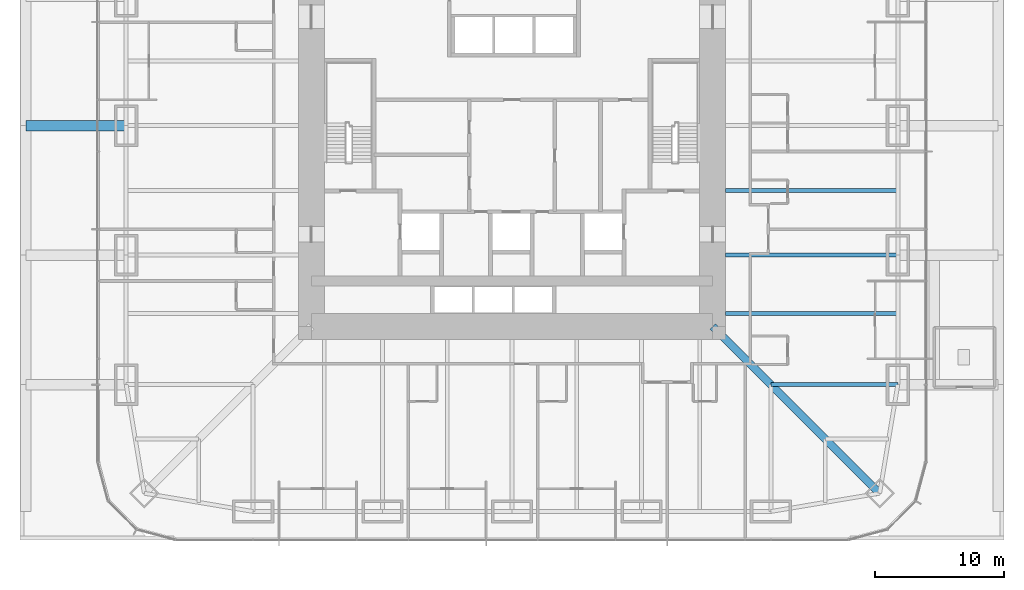
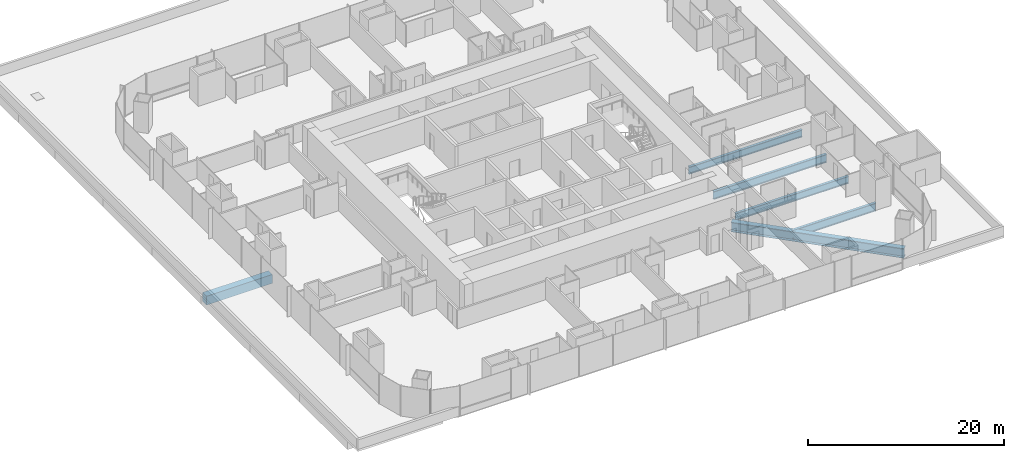
# One storey, part 5 of 20: 6 beams.
"""IFC4 building model written with IfcOpenShell, lengths in metres."""

from ifc_helpers import new_model, si_unit, direction, frame, origin, origin_2d, place, context, subcontext, project, spatial, rectangle, i_section, extrude, material, material_profile, profile_set, type_object, element, save


model = new_model("IFC4")

# Units and contexts
model_context = context("Model", 3, precision=1e-05, world=origin(), true_north=direction((0.0, 1.0)))
body_context = subcontext(model_context, "Body", "Model", "MODEL_VIEW")
ifc_project = project(units=[si_unit("LENGTHUNIT", "METRE"), si_unit("AREAUNIT", "SQUARE_METRE"), si_unit("VOLUMEUNIT", "CUBIC_METRE"), si_unit("PLANEANGLEUNIT", "RADIAN"), si_unit("MASSUNIT", "GRAM", prefix="KILO")], contexts=[model_context])

# Site, building, storey
site_placement = place(None, origin())
site = spatial("IfcSite", under=ifc_project, at=site_placement, CompositionType="ELEMENT")
building_placement = place(site_placement, origin())
building = spatial("IfcBuilding", under=site, at=building_placement, Name="Khuree Lantern Residences", CompositionType="ELEMENT")
storey_placement = place(building_placement, frame((0.0, 0.0, 21.0)))
storey = spatial("IfcBuildingStorey", under=building, at=storey_placement, Name="L04", CompositionType="ELEMENT", Elevation=21.0)

# Beams
ifc_material_1 = material(Name="Steel S355", Category="steel")
ifc_material_profile_1 = material_profile(ifc_material_1, i_section(OverallWidth=0.300048828125, OverallDepth=0.889892578125, WebThickness=0.01611328125, FlangeThickness=0.030029296875, FilletRadius=0.030029296875, at=origin_2d()), Name="HE 900 A")
ifc_profile_set_1 = profile_set([ifc_material_profile_1], Name="Steel S355")
beam_type_1 = type_object("IfcBeamType", Name="B-11 SECONDARY BEAM HE 900 A", PredefinedType="BEAM", material=ifc_profile_set_1)
for number, where, z_axis, x_axis, name in (
    (1, (29.800048828125, -5.0, -0.695068359375), (-1.0, 0.0, 0.0), (0.0, -1.0, 0.0), "Secondary beam E4"),
    (2, (29.800048828125, -14.5, -0.695068359375), (-1.0, 0.0, 0.0), (0.0, -1.0, 0.0), "Secondary beam E5"),
):
    element("IfcBeam", number, at=place(storey_placement, frame(where, z_axis=z_axis, x_axis=x_axis)), inside=storey, type_object=beam_type_1, Name=name, PredefinedType="BEAM", context=body_context, shape_type="SweptSolid", body=[
        extrude(i_section(OverallWidth=0.300048828125, OverallDepth=0.889892578125, WebThickness=0.01611328125, FlangeThickness=0.030029296875, FilletRadius=0.030029296875, at=origin_2d()), origin(), (0.0, 0.0, 1.0), 13.300048828125),
    ])
ifc_material_profile_2 = material_profile(ifc_material_1, i_section(OverallWidth=0.302001953125, OverallDepth=1.008056640625, WebThickness=0.02099609375, FlangeThickness=0.0400390625, FilletRadius=0.030029296875, at=origin_2d()), Name="HE 1000 M")
ifc_profile_set_2 = profile_set([ifc_material_profile_2], Name="Steel S355")
beam_type_2 = type_object("IfcBeamType", Name="G-11 GIRDER HE 1000 M", PredefinedType="BEAM", material=ifc_profile_set_2)
beam_1_placement = place(storey_placement, frame((29.800048828125, -10.0, -0.75390625), z_axis=(-1.0, 0.0, 0.0), x_axis=(0.0, -1.0, 0.0)))
element("IfcBeam", 3, at=beam_1_placement, inside=storey, type_object=beam_type_2, Name="Girder E4", PredefinedType="BEAM", context=body_context, shape_type="SweptSolid", body=[
    extrude(i_section(OverallWidth=0.302001953125, OverallDepth=1.008056640625, WebThickness=0.02099609375, FlangeThickness=0.0400390625, FilletRadius=0.030029296875, at=origin_2d()), origin(), (0.0, 0.0, 1.0), 13.300048828125),
])
beam_2_placement = place(storey_placement, frame((29.800048828125, -20.0, -0.75390625), z_axis=(-1.0, 0.0, 0.0), x_axis=(0.0, -1.0, 0.0)))
element("IfcBeam", 4, at=beam_2_placement, inside=storey, type_object=beam_type_2, Name="Girder E5", PredefinedType="BEAM", context=body_context, shape_type="SweptSolid", body=[
    extrude(i_section(OverallWidth=0.302001953125, OverallDepth=1.008056640625, WebThickness=0.02099609375, FlangeThickness=0.0400390625, FilletRadius=0.030029296875, at=origin_2d()), origin(), (0.0, 0.0, 1.0), 9.800048828125),
])
ifc_material_profile_3 = material_profile(ifc_material_1, i_section(OverallWidth=0.60009765625, OverallDepth=1.199951171875, WebThickness=0.030029296875, FlangeThickness=0.06005859375, at=origin_2d()), Name="WELDED I 1200X600X30X60")
ifc_profile_set_3 = profile_set([ifc_material_profile_3], Name="Steel S355")
beam_type_3 = type_object("IfcBeamType", Name="GD-11 CORNER GIRDER WELDED I 1200X600X30X60", PredefinedType="BEAM", material=ifc_profile_set_3)
beam_3_placement = place(storey_placement, frame((28.39404296875, -28.39404296875, -0.85009765625), z_axis=(-0.707106781187, 0.707106781187, 0.0), x_axis=(-0.707106781187, -0.707106781187, 0.0)))
element("IfcBeam", 5, at=beam_3_placement, inside=storey, type_object=beam_type_3, Name="Corner girder SE", PredefinedType="BEAM", context=body_context, shape_type="SweptSolid", body=[
    extrude(i_section(OverallWidth=0.60009765625, OverallDepth=1.199951171875, WebThickness=0.030029296875, FlangeThickness=0.06005859375, at=origin_2d()), origin(), (0.0, 0.0, 1.0), 18.23486328125),
])
ifc_material_2 = material(Name="Concrete C40/50", Category="concrete")
ifc_material_profile_4 = material_profile(ifc_material_2, rectangle(XDim=0.800048828125, YDim=1.10009765625, at=origin_2d()), Name="RC 800X1100")
ifc_profile_set_4 = profile_set([ifc_material_profile_4], Name="Concrete C40/50")
beam_type_4 = type_object("IfcBeamType", Name="RB4 PODIUM ROOF BEAM RC 800X1100", PredefinedType="BEAM", material=ifc_profile_set_4)
beam_4_placement = place(storey_placement, frame((-37.550048828125, 0.0, -0.800048828125), z_axis=(1.0, 0.0, 0.0), x_axis=(0.0, 1.0, 0.0)))
element("IfcBeam", 6, at=beam_4_placement, inside=storey, type_object=beam_type_4, Name="Podium roof beam RB-5", PredefinedType="BEAM", context=body_context, shape_type="SweptSolid", body=[
    extrude(rectangle(XDim=0.800048828125, YDim=1.10009765625, at=origin_2d()), origin(), (0.0, 0.0, 1.0), 7.75),
])

save(model, "model.ifc")
